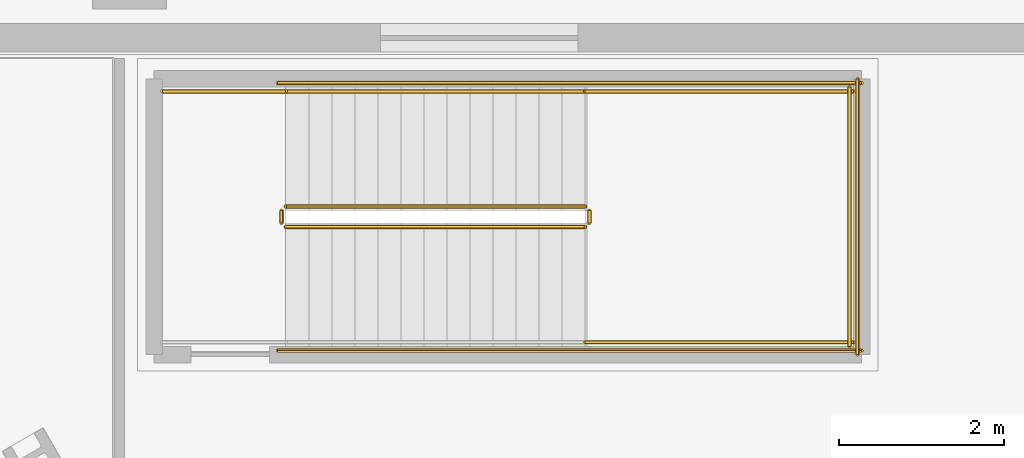
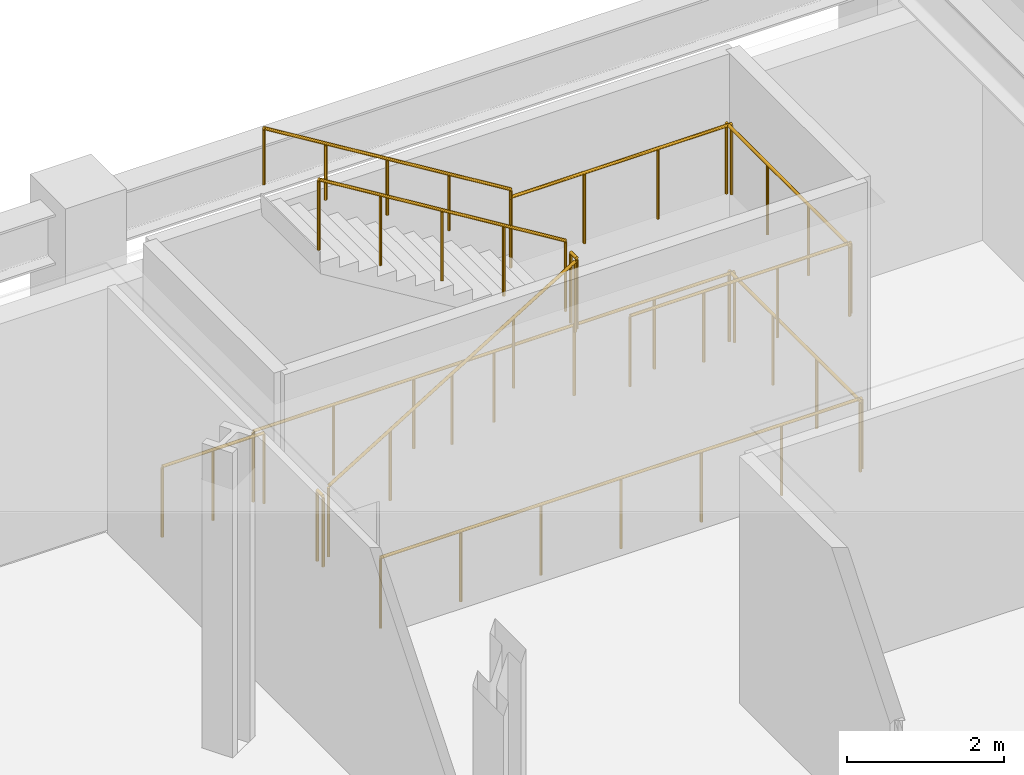
# One storey, part 18 of 19: 12 railings.
"""IFC4 building model written with IfcOpenShell, lengths in metres."""

from ifc_helpers import new_model, si_unit, direction, frame, origin, origin_2d, place, context, subcontext, project, spatial, circle, extrude, material, type_object, element, save


model = new_model("IFC4")

# Units and contexts
model_context = context("Model", 3, precision=1e-05, world=origin(), true_north=direction((0.0, 1.0)))
body_context = subcontext(model_context, "Body", "Model", "MODEL_VIEW")
ifc_project = project(units=[si_unit("LENGTHUNIT", "METRE"), si_unit("AREAUNIT", "SQUARE_METRE"), si_unit("VOLUMEUNIT", "CUBIC_METRE"), si_unit("PLANEANGLEUNIT", "RADIAN"), si_unit("MASSUNIT", "GRAM", prefix="KILO")], contexts=[model_context])

# Site, building, storey
site_placement = place(None, origin())
site = spatial("IfcSite", under=ifc_project, at=site_placement, CompositionType="ELEMENT")
building_placement = place(site_placement, origin())
building = spatial("IfcBuilding", under=site, at=building_placement, Name="Valkerne Bourse Tower", CompositionType="ELEMENT")
storey_placement = place(building_placement, frame((0.0, 0.0, 5.39990234375)))
storey = spatial("IfcBuildingStorey", under=building, at=storey_placement, Name="L01", CompositionType="ELEMENT", Elevation=5.39990234375)

# Railings
ifc_material_1 = material(Name="Galvanised Painted Steel", Category="steel")
railing_type_1 = type_object("IfcRailingType", Name="RLG-ST-GUARD-1120", PredefinedType="GUARDRAIL", material=ifc_material_1)
railing_1_placement = place(storey_placement, frame((65.699951171875, 50.449951171875, 0.171630859375)))
element("IfcRailing", 1, at=railing_1_placement, inside=storey, type_object=railing_type_1, Name="L01 ST-P2 stair guard 1", PredefinedType="GUARDRAIL", context=body_context, shape_type="SweptSolid", body=[
    extrude(circle(Radius=0.02392578125, at=origin_2d()), frame((0.0, 0.0, 1.09619140625), z_axis=(0.852865859571, 0.0, 0.52213008492), x_axis=(0.0, 1.0, 0.0)), (0.0, 0.0, 1.0), 4.26806640625),
    extrude(circle(Radius=0.02099609375, at=origin_2d()), origin(), (0.0, 0.0, 1.0), 1.072021484375),
    extrude(circle(Radius=0.02099609375, at=origin_2d()), frame((0.91015625, 0.0, 0.55712890625)), (0.0, 0.0, 1.0), 1.072021484375),
    extrude(circle(Radius=0.02099609375, at=origin_2d()), frame((1.820068359375, 0.0, 1.1142578125)), (0.0, 0.0, 1.0), 1.072021484375),
    extrude(circle(Radius=0.02099609375, at=origin_2d()), frame((2.72998046875, 0.0, 1.67138671875)), (0.0, 0.0, 1.0), 1.072021484375),
    extrude(circle(Radius=0.02099609375, at=origin_2d()), frame((3.64013671875, 0.0, 2.228515625)), (0.0, 0.0, 1.0), 1.072021484375),
])
railing_2_placement = place(storey_placement, frame((69.389892578125, 50.5, 2.400146484375)))
element("IfcRailing", 2, at=railing_2_placement, inside=storey, type_object=railing_type_1, Name="L01 ST-P2 stair guard 2", PredefinedType="GUARDRAIL", context=body_context, shape_type="SweptSolid", body=[
    extrude(circle(Radius=0.02392578125, at=origin_2d()), frame((0.0, 0.0, 1.09619140625), z_axis=(0.0, 1.0, 0.0), x_axis=(-1.0, 0.0, 0.0)), (0.0, 0.0, 1.0), 0.14990234375),
    extrude(circle(Radius=0.02099609375, at=origin_2d()), origin(), (0.0, 0.0, 1.0), 1.072021484375),
    extrude(circle(Radius=0.02099609375, at=origin_2d()), frame((0.0, 0.14990234375, 0.0)), (0.0, 0.0, 1.0), 1.072021484375),
])
for number, where, name in (
    (3, (69.340087890625, 49.050048828125, 2.400146484375), "L01 ST-P2 stair guard 3"),
    (4, (69.340087890625, 52.10009765625, 2.400146484375), "L01 ST-P2 stair guard 4"),
):
    element("IfcRailing", number, at=place(storey_placement, frame(where)), inside=storey, type_object=railing_type_1, Name=name, PredefinedType="GUARDRAIL", context=body_context, shape_type="SweptSolid", body=[
        extrude(circle(Radius=0.02392578125, at=origin_2d()), frame((0.0, 0.0, 1.09619140625), z_axis=(1.0, 0.0, 0.0), x_axis=(0.0, 1.0, 0.0)), (0.0, 0.0, 1.0), 3.260009765625),
        extrude(circle(Radius=0.02099609375, at=origin_2d()), origin(), (0.0, 0.0, 1.0), 1.072021484375),
        extrude(circle(Radius=0.02099609375, at=origin_2d()), frame((1.086669921875, 0.0, 0.0)), (0.0, 0.0, 1.0), 1.072021484375),
        extrude(circle(Radius=0.02099609375, at=origin_2d()), frame((2.17333984375, 0.0, 0.0)), (0.0, 0.0, 1.0), 1.072021484375),
        extrude(circle(Radius=0.02099609375, at=origin_2d()), frame((3.260009765625, 0.0, 0.0)), (0.0, 0.0, 1.0), 1.072021484375),
    ])
railing_3_placement = place(storey_placement, frame((72.550048828125, 49.0, 2.400146484375)))
element("IfcRailing", 5, at=railing_3_placement, inside=storey, type_object=railing_type_1, Name="L01 ST-P2 stair guard 5", PredefinedType="GUARDRAIL", context=body_context, shape_type="SweptSolid", body=[
    extrude(circle(Radius=0.02392578125, at=origin_2d()), frame((0.0, 0.0, 1.09619140625), z_axis=(0.0, 1.0, 0.0), x_axis=(-1.0, 0.0, 0.0)), (0.0, 0.0, 1.0), 3.14990234375),
    extrude(circle(Radius=0.02099609375, at=origin_2d()), origin(), (0.0, 0.0, 1.0), 1.072021484375),
    extrude(circle(Radius=0.02099609375, at=origin_2d()), frame((0.0, 1.050048828125, 0.0)), (0.0, 0.0, 1.0), 1.072021484375),
    extrude(circle(Radius=0.02099609375, at=origin_2d()), frame((0.0, 2.099853515625, 0.0)), (0.0, 0.0, 1.0), 1.072021484375),
    extrude(circle(Radius=0.02099609375, at=origin_2d()), frame((0.0, 3.14990234375, 0.0)), (0.0, 0.0, 1.0), 1.072021484375),
])
railing_4_placement = place(storey_placement, frame((69.340087890625, 50.699951171875, 2.571533203125)))
element("IfcRailing", 6, at=railing_4_placement, inside=storey, type_object=railing_type_1, Name="L01 ST-P2 stair guard 6", PredefinedType="GUARDRAIL", context=body_context, shape_type="SweptSolid", body=[
    extrude(circle(Radius=0.02392578125, at=origin_2d()), frame((0.0, 0.0, 1.09619140625), z_axis=(-0.852865859571, 0.0, 0.52213008492), x_axis=(0.0, -1.0, 0.0)), (0.0, 0.0, 1.0), 4.26806640625),
    extrude(circle(Radius=0.02099609375, at=origin_2d()), origin(), (0.0, 0.0, 1.0), 1.072021484375),
    extrude(circle(Radius=0.02099609375, at=origin_2d()), frame((-0.91015625, 0.0, 0.55712890625)), (0.0, 0.0, 1.0), 1.072021484375),
    extrude(circle(Radius=0.02099609375, at=origin_2d()), frame((-1.820068359375, 0.0, 1.1142578125)), (0.0, 0.0, 1.0), 1.072021484375),
    extrude(circle(Radius=0.02099609375, at=origin_2d()), frame((-2.72998046875, 0.0, 1.67138671875)), (0.0, 0.0, 1.0), 1.072021484375),
    extrude(circle(Radius=0.02099609375, at=origin_2d()), frame((-3.64013671875, 0.0, 2.228515625)), (0.0, 0.0, 1.0), 1.072021484375),
])
railing_5_placement = place(storey_placement, frame((65.64990234375, 50.5, 0.0)))
element("IfcRailing", 7, at=railing_5_placement, inside=storey, type_object=railing_type_1, Name="L01 ST-P2 stair guard 7", PredefinedType="GUARDRAIL", context=body_context, shape_type="SweptSolid", body=[
    extrude(circle(Radius=0.02392578125, at=origin_2d()), frame((0.0, 0.0, 1.09619140625), z_axis=(0.0, 1.0, 0.0), x_axis=(-1.0, 0.0, 0.0)), (0.0, 0.0, 1.0), 0.14990234375),
    extrude(circle(Radius=0.02099609375, at=origin_2d()), origin(), (0.0, 0.0, 1.0), 1.072021484375),
    extrude(circle(Radius=0.02099609375, at=origin_2d()), frame((0.0, 0.14990234375, 0.0)), (0.0, 0.0, 1.0), 1.072021484375),
])
railing_6_placement = place(storey_placement, frame((64.199951171875, 52.10009765625, 0.0)))
element("IfcRailing", 8, at=railing_6_placement, inside=storey, type_object=railing_type_1, Name="L01 ST-P2 stair guard 9", PredefinedType="GUARDRAIL", context=body_context, shape_type="SweptSolid", body=[
    extrude(circle(Radius=0.02392578125, at=origin_2d()), frame((0.0, 0.0, 1.09619140625), z_axis=(1.0, 0.0, 0.0), x_axis=(0.0, 1.0, 0.0)), (0.0, 0.0, 1.0), 1.5),
    extrude(circle(Radius=0.02099609375, at=origin_2d()), origin(), (0.0, 0.0, 1.0), 1.072021484375),
    extrude(circle(Radius=0.02099609375, at=origin_2d()), frame((0.75, 0.0, 0.0)), (0.0, 0.0, 1.0), 1.072021484375),
    extrude(circle(Radius=0.02099609375, at=origin_2d()), frame((1.5, 0.0, 0.0)), (0.0, 0.0, 1.0), 1.072021484375),
])
for number, where, name in (
    (9, (65.60009765625, 48.949951171875, 0.0), "L01 ST-P2 stair guard 10"),
    (10, (65.60009765625, 52.199951171875, 0.0), "L01 ST-P2 stair guard 11"),
):
    element("IfcRailing", number, at=place(storey_placement, frame(where)), inside=storey, type_object=railing_type_1, Name=name, PredefinedType="GUARDRAIL", context=body_context, shape_type="SweptSolid", body=[
        extrude(circle(Radius=0.02392578125, at=origin_2d()), frame((0.0, 0.0, 1.09619140625), z_axis=(1.0, 0.0, 0.0), x_axis=(0.0, 1.0, 0.0)), (0.0, 0.0, 1.0), 7.099853515625),
        extrude(circle(Radius=0.02099609375, at=origin_2d()), origin(), (0.0, 0.0, 1.0), 1.072021484375),
        extrude(circle(Radius=0.02099609375, at=origin_2d()), frame((1.183349609375, 0.0, 0.0)), (0.0, 0.0, 1.0), 1.072021484375),
        extrude(circle(Radius=0.02099609375, at=origin_2d()), frame((2.36669921875, 0.0, 0.0)), (0.0, 0.0, 1.0), 1.072021484375),
        extrude(circle(Radius=0.02099609375, at=origin_2d()), frame((3.5498046875, 0.0, 0.0)), (0.0, 0.0, 1.0), 1.072021484375),
        extrude(circle(Radius=0.02099609375, at=origin_2d()), frame((4.733154296875, 0.0, 0.0)), (0.0, 0.0, 1.0), 1.072021484375),
        extrude(circle(Radius=0.02099609375, at=origin_2d()), frame((5.91650390625, 0.0, 0.0)), (0.0, 0.0, 1.0), 1.072021484375),
        extrude(circle(Radius=0.02099609375, at=origin_2d()), frame((7.099853515625, 0.0, 0.0)), (0.0, 0.0, 1.0), 1.072021484375),
    ])
railing_7_placement = place(storey_placement, frame((72.64990234375, 48.89990234375, 0.0)))
element("IfcRailing", 11, at=railing_7_placement, inside=storey, type_object=railing_type_1, Name="L01 ST-P2 stair guard 12", PredefinedType="GUARDRAIL", context=body_context, shape_type="SweptSolid", body=[
    extrude(circle(Radius=0.02392578125, at=origin_2d()), frame((0.0, 0.0, 1.09619140625), z_axis=(0.0, 1.0, 0.0), x_axis=(-1.0, 0.0, 0.0)), (0.0, 0.0, 1.0), 3.35009765625),
    extrude(circle(Radius=0.02099609375, at=origin_2d()), origin(), (0.0, 0.0, 1.0), 1.072021484375),
    extrude(circle(Radius=0.02099609375, at=origin_2d()), frame((0.0, 1.11669921875, 0.0)), (0.0, 0.0, 1.0), 1.072021484375),
    extrude(circle(Radius=0.02099609375, at=origin_2d()), frame((0.0, 2.2333984375, 0.0)), (0.0, 0.0, 1.0), 1.072021484375),
    extrude(circle(Radius=0.02099609375, at=origin_2d()), frame((0.0, 3.35009765625, 0.0)), (0.0, 0.0, 1.0), 1.072021484375),
])
ifc_material_2 = material(Name="Stainless Steel AISI 316", Category="steel")
railing_type_2 = type_object("IfcRailingType", Name="RLG-ST-HANDRAIL-900", PredefinedType="HANDRAIL", material=ifc_material_2)
railing_8_placement = place(storey_placement, frame((69.340087890625, 52.10009765625, 2.742919921875)))
element("IfcRailing", 12, at=railing_8_placement, inside=storey, type_object=railing_type_2, Name="L01 ST-P2 stair handrail 2", PredefinedType="HANDRAIL", context=body_context, shape_type="SweptSolid", body=[
    extrude(circle(Radius=0.02392578125, at=origin_2d()), frame((0.0, 0.0, 0.8759765625), z_axis=(-0.852865859571, 0.0, 0.52213008492), x_axis=(0.0, -1.0, 0.0)), (0.0, 0.0, 1.0), 4.26806640625),
    extrude(circle(Radius=0.02099609375, at=origin_2d()), origin(), (0.0, 0.0, 1.0), 0.851806640625),
    extrude(circle(Radius=0.02099609375, at=origin_2d()), frame((-0.91015625, 0.0, 0.55712890625)), (0.0, 0.0, 1.0), 0.851806640625),
    extrude(circle(Radius=0.02099609375, at=origin_2d()), frame((-1.820068359375, 0.0, 1.1142578125)), (0.0, 0.0, 1.0), 0.851806640625),
    extrude(circle(Radius=0.02099609375, at=origin_2d()), frame((-2.72998046875, 0.0, 1.67138671875)), (0.0, 0.0, 1.0), 0.851806640625),
    extrude(circle(Radius=0.02099609375, at=origin_2d()), frame((-3.64013671875, 0.0, 2.228515625)), (0.0, 0.0, 1.0), 0.851806640625),
])

save(model, "model.ifc")
